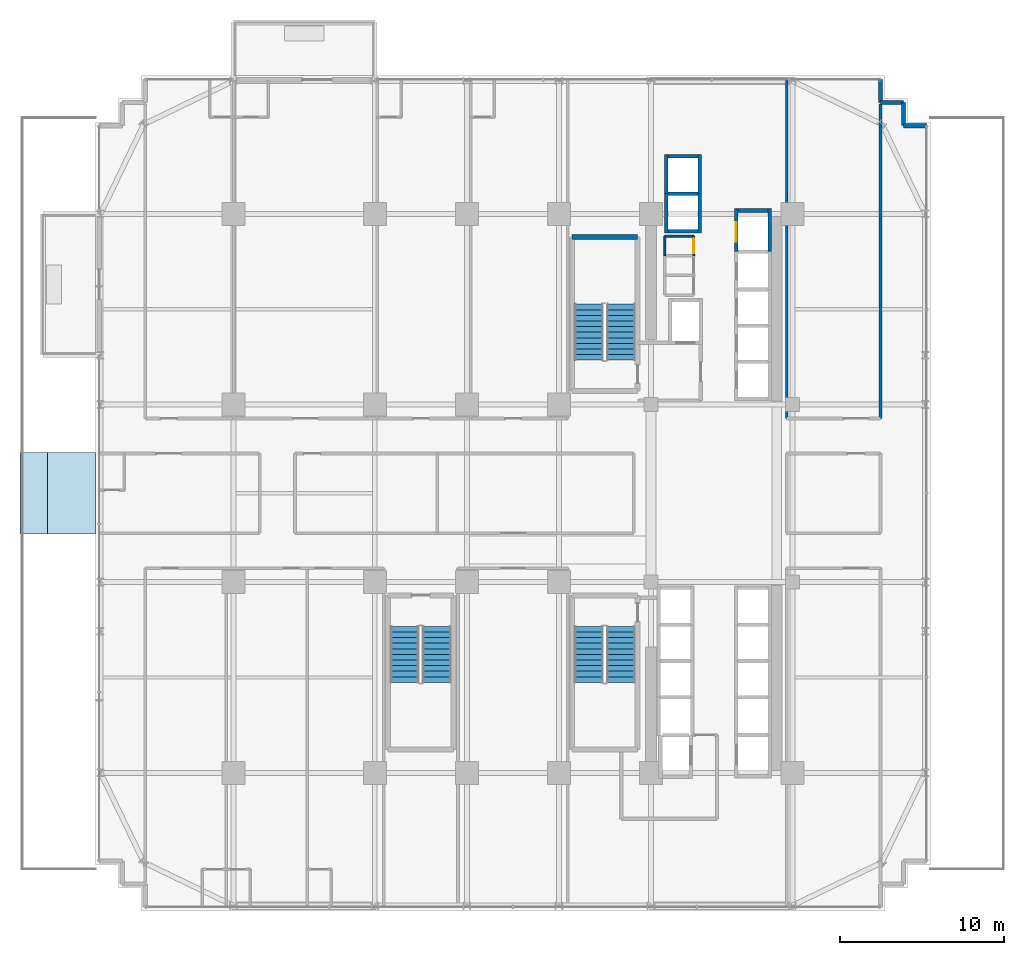
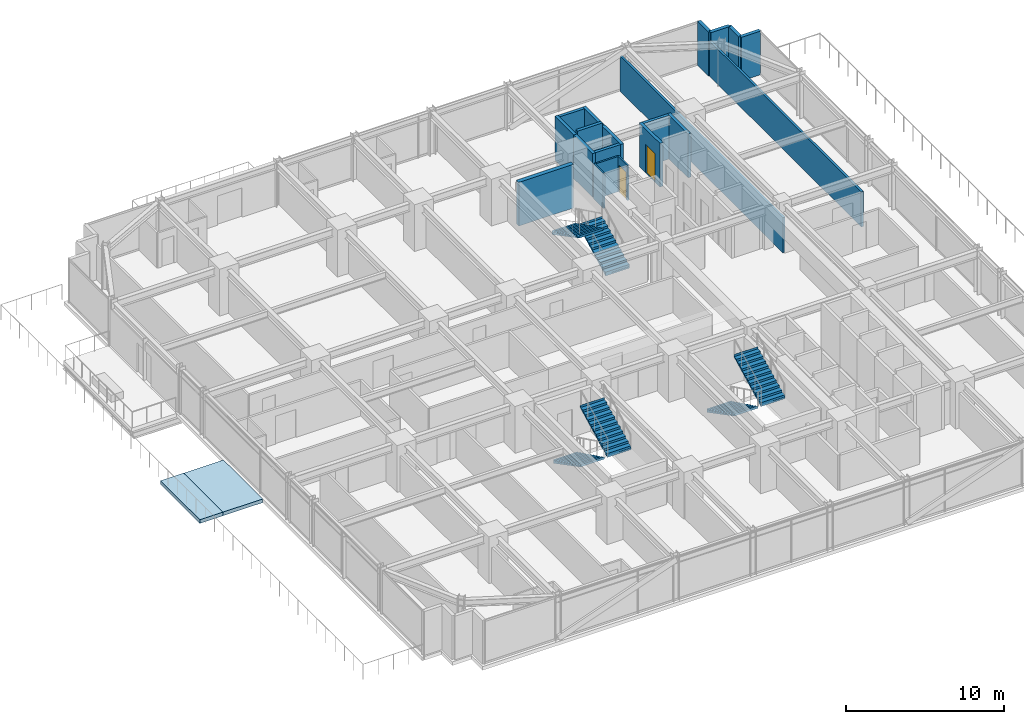
# One storey, part 33 of 39: 20 walls, 6 stair flights, 2 doors, 2 roofs, 2 openings, 3 elements without a shape of their own.
"""IFC4 building model written with IfcOpenShell, lengths in metres."""

from ifc_helpers import new_model, si_unit, direction, frame, frame_2d, origin, place, context, subcontext, project, spatial, polyline, rectangle, outline, extrude, source, transform, mapped, material, layer, layer_set, type_object, element, fill, aggregate, save


model = new_model("IFC4")

# Units and contexts
model_context = context("Model", 3, precision=1e-05, world=origin(), true_north=direction((0.0, 1.0)))
body_context = subcontext(model_context, "Body", "Model", "MODEL_VIEW")
ifc_project = project(units=[si_unit("LENGTHUNIT", "METRE"), si_unit("AREAUNIT", "SQUARE_METRE"), si_unit("VOLUMEUNIT", "CUBIC_METRE"), si_unit("PLANEANGLEUNIT", "RADIAN"), si_unit("MASSUNIT", "GRAM", prefix="KILO")], contexts=[model_context])

# Site, building, storey
site_placement = place(None, origin())
site = spatial("IfcSite", under=ifc_project, at=site_placement, CompositionType="ELEMENT")
building_placement = place(site_placement, origin())
building = spatial("IfcBuilding", under=site, at=building_placement, Name="Nahalor Promenade Grand Hotel", CompositionType="ELEMENT")
storey_placement = place(building_placement, frame((0.0, 0.0, 32.39990234375)))
storey = spatial("IfcBuildingStorey", under=building, at=storey_placement, Name="L06", CompositionType="ELEMENT", Elevation=32.39990234375)

# Walls
ifc_material_1 = material(Name="Concrete B-50 (C40/50)", Category="concrete")
ifc_layer_1 = layer(ifc_material_1, 0.300048828125)
ifc_layer_set_1 = layer_set([ifc_layer_1], Name="Concrete B-50 (C40/50)")
wall_type_1 = type_object("IfcWallType", Name="Wall-ShaftShear-300", PredefinedType="SHEAR", material=ifc_layer_set_1)
shared_shape_1 = source(origin(), body_context, "Body", "SweptSolid", [
    extrude(rectangle(XDim=3.97998046875, YDim=0.300048828125, at=frame_2d((1.989990234375, 0.0))), origin(), (0.0, 0.0, 1.0), 3.3701171875),
])
wall_1_placement = place(storey_placement, frame((3.610107421875, 15.590087890625, 0.0), z_axis=(0.0, 0.0, 1.0), x_axis=(1.0, 0.0, 0.0)))
element("IfcWall", 1, at=wall_1_placement, inside=storey, type_object=wall_type_1, Name="L06 Exit Stair ST1 Shaft Wall N", PredefinedType="SHEAR", context=body_context, shape_type="MappedRepresentation", body=[
    mapped(shared_shape_1, transform((0.0, 0.0, 0.0), scale=1.0)),
])
ifc_layer_2 = layer(ifc_material_1, 0.219970703125)
ifc_layer_set_2 = layer_set([ifc_layer_2], Name="Concrete B-50 (C40/50)")
wall_type_2 = type_object("IfcWallType", Name="Wall-LiftShaft-220", PredefinedType="SHEAR", material=ifc_layer_set_2)
shared_shape_2 = source(origin(), body_context, "Body", "SweptSolid", [
    extrude(rectangle(XDim=1.820068359375, YDim=0.219970703125, at=frame_2d((0.91015625, 0.0))), origin(), (0.0, 0.0, 1.0), 3.3701171875),
])
for number, where, z_axis, x_axis, name in (
    (2, (9.43994140625, 15.949951171875, 0.0), (0.0, 0.0, 1.0), (1.0, 0.0, 0.0), "L06 Lift OB1 Hoistway Wall S"),
    (3, (9.43994140625, 20.5, 0.0), (0.0, 0.0, 1.0), (1.0, 0.0, 0.0), "L06 Lift OB2 Hoistway Wall N"),
    (4, (13.68994140625, 17.199951171875, 0.0), (0.0, 0.0, 1.0), (1.0, 0.0, 0.0), "L06 Lift SV1 Hoistway Wall N"),
):
    element("IfcWall", number, at=place(storey_placement, frame(where, z_axis=z_axis, x_axis=x_axis)), inside=storey, type_object=wall_type_2, Name=name, PredefinedType="SHEAR", context=body_context, shape_type="MappedRepresentation", body=[
        mapped(shared_shape_2, transform((0.0, 0.0, 0.0), scale=1.0)),
    ])
shared_shape_3 = source(origin(), body_context, "Body", "SweptSolid", [
    extrude(rectangle(XDim=1.820068359375, YDim=0.219970703125, at=frame_2d((0.91015625, 0.0))), origin(), (0.0, 0.0, 1.0), 3.650146484375),
])
wall_2_placement = place(storey_placement, frame((9.43994140625, 18.22509765625, 0.0), z_axis=(0.0, 0.0, 1.0), x_axis=(1.0, 0.0, 0.0)))
element("IfcWall", 5, at=wall_2_placement, inside=storey, type_object=wall_type_2, Name="L06 Lift OB1 Hoistway Wall N", PredefinedType="SHEAR", context=body_context, shape_type="MappedRepresentation", body=[
    mapped(shared_shape_3, transform((0.0, 0.0, 0.0), scale=1.0)),
])
shared_shape_4 = source(origin(), body_context, "Body", "SweptSolid", [
    extrude(rectangle(XDim=2.385009765625, YDim=0.219970703125, at=frame_2d((1.1923828125, 0.0))), origin(), (0.0, 0.0, 1.0), 3.3701171875),
])
for number, where, z_axis, x_axis, name in (
    (6, (9.330078125, 15.840087890625, 0.0), (0.0, 0.0, 1.0), (0.0, 1.0, 0.0), "L06 Lift OB1 Hoistway Wall W"),
    (7, (11.3701171875, 15.840087890625, 0.0), (0.0, 0.0, 1.0), (0.0, 1.0, 0.0), "L06 Lift OB1 Hoistway Wall E"),
    (8, (9.330078125, 18.22509765625, 0.0), (0.0, 0.0, 1.0), (0.0, 1.0, 0.0), "L06 Lift OB2 Hoistway Wall W"),
    (9, (11.3701171875, 18.22509765625, 0.0), (0.0, 0.0, 1.0), (0.0, 1.0, 0.0), "L06 Lift OB2 Hoistway Wall E"),
):
    element("IfcWall", number, at=place(storey_placement, frame(where, z_axis=z_axis, x_axis=x_axis)), inside=storey, type_object=wall_type_2, Name=name, PredefinedType="SHEAR", context=body_context, shape_type="MappedRepresentation", body=[
        mapped(shared_shape_4, transform((0.0, 0.0, 0.0), scale=1.0)),
    ])

# Wall, opening, door
shared_shape_5 = source(origin(), body_context, "Body", "SweptSolid", [
    extrude(rectangle(XDim=2.610107421875, YDim=0.219970703125, at=frame_2d((1.30517578125, 0.0))), origin(), (0.0, 0.0, 1.0), 3.3701171875),
])
wall_3_placement = place(storey_placement, frame((13.580078125, 14.699951171875, 0.0), z_axis=(0.0, 0.0, 1.0), x_axis=(0.0, 1.0, 0.0)))
wall_3 = element("IfcWall", 10, at=wall_3_placement, inside=storey, type_object=wall_type_2, Name="L06 Lift SV1 Hoistway Wall W", PredefinedType="SHEAR", context=body_context, shape_type="MappedRepresentation", body=[
    mapped(shared_shape_5, transform((0.0, 0.0, 0.0), scale=1.0)),
])
opening_1_placement = place(wall_3_placement, frame((0.60009765625, 0.0, 0.0)))
opening_1 = element("IfcOpeningElement", 11, at=opening_1_placement, cuts=wall_3, Name="Opening LD-03", PredefinedType="OPENING", context=body_context, shape_type="SweptSolid", body=[
    extrude(rectangle(XDim=1.199951171875, YDim=2.199951171875, at=frame_2d((0.60009765625, 1.10009765625))), frame((0.0, 0.119873046875, 0.0), z_axis=(0.0, -1.0, 0.0), x_axis=(1.0, 0.0, 0.0)), (0.0, 0.0, 1.0), 0.239990234375),
])
ifc_material_2 = material(Name="Steel S355JR", Category="steel")
door_type_1 = type_object("IfcDoorType", Name="Door-LiftService-1200", OperationType="DOUBLE_DOOR_SLIDING", PredefinedType="DOOR", material=ifc_material_2)
shared_shape_6 = source(origin(), body_context, "Body", "SweptSolid", [
    extrude(rectangle(XDim=1.199951171875, YDim=2.199951171875, at=frame_2d((0.60009765625, 1.10009765625))), frame((0.0, 0.02490234375, 0.0), z_axis=(0.0, -1.0, 0.0), x_axis=(1.0, 0.0, 0.0)), (0.0, 0.0, 1.0), 0.050048828125),
])
door_1_placement = place(opening_1_placement, origin())
door_1 = element("IfcDoor", 12, at=door_1_placement, inside=storey, type_object=door_type_1, Name="DR-LIFT-SV1-L06", OperationType="DOUBLE_DOOR_SLIDING", OverallHeight=2.199951171875, OverallWidth=1.199951171875, PredefinedType="DOOR", context=body_context, shape_type="MappedRepresentation", body=[
    mapped(shared_shape_6, transform((0.0, 0.0, 0.0), scale=1.0)),
])
fill(opening_1, door_1)

# Walls
wall_4_placement = place(storey_placement, frame((15.6201171875, 14.699951171875, 0.0), z_axis=(0.0, 0.0, 1.0), x_axis=(0.0, 1.0, 0.0)))
element("IfcWall", 13, at=wall_4_placement, inside=storey, type_object=wall_type_2, Name="L06 Lift SV1 Hoistway Wall E", PredefinedType="SHEAR", context=body_context, shape_type="MappedRepresentation", body=[
    mapped(shared_shape_5, transform((0.0, 0.0, 0.0), scale=1.0)),
])
ifc_material_3 = material(Name="Concrete B-40 (C32/40)", Category="concrete")
ifc_layer_3 = layer(ifc_material_3, 0.25)
ifc_layer_set_3 = layer_set([ifc_layer_3], Name="Concrete B-40 (C32/40)")
wall_type_3 = type_object("IfcWallType", Name="Wall-BronzePier-250", PredefinedType="STANDARD", material=ifc_layer_set_3)
shared_shape_7 = source(origin(), body_context, "Body", "SweptSolid", [
    extrude(rectangle(XDim=1.39990234375, YDim=0.25, at=frame_2d((0.699951171875, 0.0))), origin(), (0.0, 0.0, 1.0), 3.3701171875),
])
for number, where, z_axis, x_axis, name in (
    (14, (23.760009765625, 22.360107421875, 0.0), (0.0, 0.0, 1.0), (1.0, 0.0, 0.0), "W-L06-SR-05"),
    (15, (23.760009765625, 22.360107421875, 0.0), (0.0, 0.0, 1.0), (0.0, 1.0, 0.0), "W-L06-SR-06"),
    (16, (22.360107421875, 23.760009765625, 0.0), (0.0, 0.0, 1.0), (1.0, 0.0, 0.0), "W-L06-SR-07"),
    (17, (22.360107421875, 23.760009765625, 0.0), (0.0, 0.0, 1.0), (0.0, 1.0, 0.0), "W-L06-SR-08"),
):
    element("IfcWall", number, at=place(storey_placement, frame(where, z_axis=z_axis, x_axis=x_axis)), inside=storey, type_object=wall_type_3, Name=name, PredefinedType="STANDARD", context=body_context, shape_type="MappedRepresentation", body=[
        mapped(shared_shape_7, transform((0.0, 0.0, 0.0), scale=1.0)),
    ])
ifc_material_4 = material(Name="Acoustic Mineral Gypsum", Category="gypsum")
ifc_layer_4 = layer(ifc_material_4, 0.1201171875)
ifc_layer_set_4 = layer_set([ifc_layer_4], Name="Acoustic Mineral Gypsum")
wall_type_4 = type_object("IfcWallType", Name="Wall-PartBath-120", PredefinedType="PARTITIONING", material=ifc_layer_set_4)
shared_shape_8 = source(origin(), body_context, "Body", "SweptSolid", [
    extrude(rectangle(XDim=1.75, YDim=0.1201171875, at=frame_2d((0.875, 0.0))), origin(), (0.0, 0.0, 1.0), 2.710205078125),
])
wall_5_placement = place(storey_placement, frame((9.25, 15.64990234375, 0.0), z_axis=(0.0, 0.0, 1.0), x_axis=(1.0, 0.0, 0.0)))
element("IfcWall", 18, at=wall_5_placement, inside=storey, type_object=wall_type_4, Name="W-L06-CK3C-N", PredefinedType="PARTITIONING", context=body_context, shape_type="MappedRepresentation", body=[
    mapped(shared_shape_8, transform((0.0, 0.0, 0.0), scale=1.0)),
])
shared_shape_9 = source(origin(), body_context, "Body", "SweptSolid", [
    extrude(rectangle(XDim=1.199951171875, YDim=0.1201171875, at=frame_2d((0.60009765625, 0.0))), origin(), (0.0, 0.0, 1.0), 2.710205078125),
])
wall_6_placement = place(storey_placement, frame((9.25, 14.449951171875, 0.0), z_axis=(0.0, 0.0, 1.0), x_axis=(0.0, 1.0, 0.0)))
element("IfcWall", 19, at=wall_6_placement, inside=storey, type_object=wall_type_4, Name="W-L06-CK3C-W", PredefinedType="PARTITIONING", context=body_context, shape_type="MappedRepresentation", body=[
    mapped(shared_shape_9, transform((0.0, 0.0, 0.0), scale=1.0)),
])

# Wall, opening, door
wall_7_placement = place(storey_placement, frame((11.0, 14.449951171875, 0.0), z_axis=(0.0, 0.0, 1.0), x_axis=(0.0, 1.0, 0.0)))
wall_7 = element("IfcWall", 20, at=wall_7_placement, inside=storey, type_object=wall_type_4, Name="W-L06-CK3C-E", PredefinedType="PARTITIONING", context=body_context, shape_type="MappedRepresentation", body=[
    mapped(shared_shape_9, transform((0.0, 0.0, 0.0), scale=1.0)),
])
opening_2_placement = place(wall_7_placement, frame((0.159912109375, 0.0, 0.0)))
opening_2 = element("IfcOpeningElement", 21, at=opening_2_placement, cuts=wall_7, Name="Opening D-03", PredefinedType="OPENING", context=body_context, shape_type="SweptSolid", body=[
    extrude(rectangle(XDim=0.8798828125, YDim=2.10009765625, at=frame_2d((0.43994140625, 1.050048828125))), frame((0.0, 0.070068359375, 0.0), z_axis=(0.0, -1.0, 0.0), x_axis=(1.0, 0.0, 0.0)), (0.0, 0.0, 1.0), 0.14013671875),
])
ifc_material_5 = material(Name="Fire-Rated Timber Composite", Category="wood")
door_type_2 = type_object("IfcDoorType", Name="Door-BathSwing-880", OperationType="NOTDEFINED", PredefinedType="DOOR", material=ifc_material_5)
shared_shape_10 = source(origin(), body_context, "Body", "SweptSolid", [
    extrude(rectangle(XDim=0.8798828125, YDim=2.10009765625, at=frame_2d((0.43994140625, 1.050048828125))), frame((0.0, 0.02490234375, 0.0), z_axis=(0.0, -1.0, 0.0), x_axis=(1.0, 0.0, 0.0)), (0.0, 0.0, 1.0), 0.050048828125),
])
door_2_placement = place(opening_2_placement, origin())
door_2 = element("IfcDoor", 22, at=door_2_placement, inside=storey, type_object=door_type_2, Name="DR-L06-CK3C", OperationType="SINGLE_SWING_LEFT", OverallHeight=2.10009765625, OverallWidth=0.8798828125, PredefinedType="DOOR", context=body_context, shape_type="MappedRepresentation", body=[
    mapped(shared_shape_10, transform((0.0, 0.0, 0.0), scale=1.0)),
])
fill(opening_2, door_2)

# Walls
ifc_layer_5 = layer(ifc_material_4, 0.159912109375)
ifc_layer_set_5 = layer_set([ifc_layer_5], Name="Acoustic Mineral Gypsum")
wall_type_5 = type_object("IfcWallType", Name="Wall-PartCorridor-160", PredefinedType="PARTITIONING", material=ifc_layer_set_5)
shared_shape_11 = source(origin(), body_context, "Body", "SweptSolid", [
    extrude(rectangle(XDim=20.550048828125, YDim=0.159912109375, at=frame_2d((10.27490234375, 0.0))), origin(), (0.0, 0.0, 1.0), 2.710205078125),
])
wall_8_placement = place(storey_placement, frame((16.64990234375, 4.550048828125, 0.0), z_axis=(0.0, 0.0, 1.0), x_axis=(0.0, 1.0, 0.0)))
element("IfcWall", 23, at=wall_8_placement, inside=storey, type_object=wall_type_5, Name="W-L06-ENE-W", PredefinedType="PARTITIONING", context=body_context, shape_type="MappedRepresentation", body=[
    mapped(shared_shape_11, transform((0.0, 0.0, 0.0), scale=1.0)),
])
shared_shape_12 = source(origin(), body_context, "Body", "SweptSolid", [
    extrude(rectangle(XDim=19.1298828125, YDim=0.159912109375, at=frame_2d((9.56494140625, 0.0))), origin(), (0.0, 0.0, 1.0), 2.710205078125),
])
wall_9_placement = place(storey_placement, frame((22.360107421875, 4.550048828125, 0.0), z_axis=(0.0, 0.0, 1.0), x_axis=(0.0, 1.0, 0.0)))
element("IfcWall", 24, at=wall_9_placement, inside=storey, type_object=wall_type_5, Name="W-L06-ENE-E", PredefinedType="PARTITIONING", context=body_context, shape_type="MappedRepresentation", body=[
    mapped(shared_shape_12, transform((0.0, 0.0, 0.0), scale=1.0)),
])

# Stair, stair flights
stair_type_1 = type_object("IfcStairType", Name="Stair-ST1", PredefinedType="HALF_TURN_STAIR", material=ifc_material_1)
stair_1_placement = place(storey_placement, origin())
stair_1 = element("IfcStair", 25, at=stair_1_placement, inside=storey, type_object=stair_type_1, Name="L06 ST1", PredefinedType="HALF_TURN_STAIR")
ifc_layer_6 = layer(ifc_material_1, 0.179931640625)
ifc_layer_set_6 = layer_set([ifc_layer_6], Name="Concrete B-50 (C40/50)")
stair_flight_type_1 = type_object("IfcStairFlightType", Name="Flight-ST1", PredefinedType="STRAIGHT", material=ifc_layer_set_6)
shared_shape_13 = source(origin(), body_context, "Body", "SweptSolid", [
    extrude(outline(polyline([(-0.00390625, -0.1201171875), (-0.00390625, 0.0), (0.0, 0.0), (0.0, 0.166015625), (0.340087890625, 0.166015625), (0.340087890625, 0.331787109375), (0.679931640625, 0.331787109375), (0.679931640625, 0.497802734375), (1.02001953125, 0.497802734375), (1.02001953125, 0.66357421875), (1.360107421875, 0.66357421875), (1.360107421875, 0.82958984375), (1.699951171875, 0.82958984375), (1.699951171875, 0.995361328125), (2.0400390625, 0.995361328125), (2.0400390625, 1.161376953125), (2.3798828125, 1.161376953125), (2.3798828125, 1.327392578125), (2.719970703125, 1.327392578125), (2.719970703125, 1.4931640625), (3.06005859375, 1.4931640625), (3.06005859375, 1.6591796875), (3.39990234375, 1.6591796875), (3.39990234375, 1.824951171875), (3.404052734375, 1.824951171875), (3.404052734375, 1.64501953125), (0.02001953125, -0.1201171875), (-0.00390625, -0.1201171875)])), frame((0.0, 0.875, 0.0), z_axis=(0.0, -1.0, 0.0), x_axis=(1.0, 0.0, 0.0)), (0.0, 0.0, 1.0), 1.75),
])
stair_flight_1_placement = place(storey_placement, frame((6.574951171875, 8.10009765625, 0.0), z_axis=(0.0, 0.0, 1.0), x_axis=(0.0, 1.0, 0.0)))
stair_flight_1 = element("IfcStairFlight", 26, at=stair_flight_1_placement, type_object=stair_flight_type_1, Name="ST1 flight 1", NumberOfRisers=11, NumberOfTreads=10, PredefinedType="STRAIGHT", RiserHeight=0.165909091, TreadLength=0.34, context=body_context, shape_type="MappedRepresentation", body=[
    mapped(shared_shape_13, transform((0.0, 0.0, 0.0), scale=1.0)),
])
stair_flight_2_placement = place(storey_placement, frame((4.625, 11.5, 1.8251953125), z_axis=(0.0, 0.0, 1.0), x_axis=(0.0, -1.0, 0.0)))
stair_flight_2 = element("IfcStairFlight", 27, at=stair_flight_2_placement, type_object=stair_flight_type_1, Name="ST1 flight 2", NumberOfRisers=11, NumberOfTreads=10, PredefinedType="STRAIGHT", RiserHeight=0.165909091, TreadLength=0.34, context=body_context, shape_type="MappedRepresentation", body=[
    mapped(shared_shape_13, transform((0.0, 0.0, 0.0), scale=1.0)),
])
aggregate(stair_1, [stair_flight_1, stair_flight_2])

stair_type_2 = type_object("IfcStairType", Name="Stair-ST2", PredefinedType="HALF_TURN_STAIR", material=ifc_material_1)
stair_2_placement = place(storey_placement, origin())
stair_2 = element("IfcStair", 28, at=stair_2_placement, inside=storey, type_object=stair_type_2, Name="L06 ST2", PredefinedType="HALF_TURN_STAIR")
ifc_layer_7 = layer(ifc_material_1, 0.18994140625)
ifc_layer_set_7 = layer_set([ifc_layer_7], Name="Concrete B-50 (C40/50)")
stair_flight_type_2 = type_object("IfcStairFlightType", Name="Flight-ST2", PredefinedType="STRAIGHT", material=ifc_layer_set_7)
shared_shape_14 = source(origin(), body_context, "Body", "SweptSolid", [
    extrude(outline(polyline([(-0.00390625, -0.1201171875), (-0.00390625, 0.0), (0.0, 0.0), (0.0, 0.166015625), (0.340087890625, 0.166015625), (0.340087890625, 0.331787109375), (0.679931640625, 0.331787109375), (0.679931640625, 0.497802734375), (1.02001953125, 0.497802734375), (1.02001953125, 0.66357421875), (1.360107421875, 0.66357421875), (1.360107421875, 0.82958984375), (1.699951171875, 0.82958984375), (1.699951171875, 0.995361328125), (2.0400390625, 0.995361328125), (2.0400390625, 1.161376953125), (2.3798828125, 1.161376953125), (2.3798828125, 1.327392578125), (2.719970703125, 1.327392578125), (2.719970703125, 1.4931640625), (3.06005859375, 1.4931640625), (3.06005859375, 1.6591796875), (3.39990234375, 1.6591796875), (3.39990234375, 1.824951171875), (3.404052734375, 1.824951171875), (3.404052734375, 1.64501953125), (0.02001953125, -0.1201171875), (-0.00390625, -0.1201171875)])), frame((0.0, 0.875, 0.0), z_axis=(0.0, -1.0, 0.0), x_axis=(1.0, 0.0, 0.0)), (0.0, 0.0, 1.0), 1.75),
])
stair_flight_3_placement = place(storey_placement, frame((4.625, -8.10009765625, 0.0), z_axis=(0.0, 0.0, 1.0), x_axis=(0.0, -1.0, 0.0)))
stair_flight_3 = element("IfcStairFlight", 29, at=stair_flight_3_placement, type_object=stair_flight_type_2, Name="ST2 flight 1", NumberOfRisers=11, NumberOfTreads=10, PredefinedType="STRAIGHT", RiserHeight=0.165909091, TreadLength=0.34, context=body_context, shape_type="MappedRepresentation", body=[
    mapped(shared_shape_14, transform((0.0, 0.0, 0.0), scale=1.0)),
])
stair_flight_4_placement = place(storey_placement, frame((6.574951171875, -11.5, 1.8251953125), z_axis=(0.0, 0.0, 1.0), x_axis=(0.0, 1.0, 0.0)))
stair_flight_4 = element("IfcStairFlight", 30, at=stair_flight_4_placement, type_object=stair_flight_type_2, Name="ST2 flight 2", NumberOfRisers=11, NumberOfTreads=10, PredefinedType="STRAIGHT", RiserHeight=0.165909091, TreadLength=0.34, context=body_context, shape_type="MappedRepresentation", body=[
    mapped(shared_shape_14, transform((0.0, 0.0, 0.0), scale=1.0)),
])
aggregate(stair_2, [stair_flight_3, stair_flight_4])

stair_type_3 = type_object("IfcStairType", Name="Stair-ST3", PredefinedType="HALF_TURN_STAIR", material=ifc_material_1)
stair_3_placement = place(storey_placement, origin())
stair_3 = element("IfcStair", 31, at=stair_3_placement, inside=storey, type_object=stair_type_3, Name="L06 ST3", PredefinedType="HALF_TURN_STAIR")
ifc_layer_8 = layer(ifc_material_1, 0.199951171875)
ifc_layer_set_8 = layer_set([ifc_layer_8], Name="Concrete B-50 (C40/50)")
stair_flight_type_3 = type_object("IfcStairFlightType", Name="Flight-ST3", PredefinedType="STRAIGHT", material=ifc_layer_set_8)
shared_shape_15 = source(origin(), body_context, "Body", "SweptSolid", [
    extrude(outline(polyline([(-0.00390625, -0.1201171875), (-0.00390625, 0.0), (0.0, 0.0), (0.0, 0.166015625), (0.340087890625, 0.166015625), (0.340087890625, 0.331787109375), (0.679931640625, 0.331787109375), (0.679931640625, 0.497802734375), (1.02001953125, 0.497802734375), (1.02001953125, 0.66357421875), (1.360107421875, 0.66357421875), (1.360107421875, 0.82958984375), (1.699951171875, 0.82958984375), (1.699951171875, 0.995361328125), (2.0400390625, 0.995361328125), (2.0400390625, 1.161376953125), (2.3798828125, 1.161376953125), (2.3798828125, 1.327392578125), (2.719970703125, 1.327392578125), (2.719970703125, 1.4931640625), (3.06005859375, 1.4931640625), (3.06005859375, 1.6591796875), (3.39990234375, 1.6591796875), (3.39990234375, 1.824951171875), (3.404052734375, 1.824951171875), (3.404052734375, 1.64501953125), (0.02001953125, -0.1201171875), (-0.00390625, -0.1201171875)])), frame((0.0, 0.875, 0.0), z_axis=(0.0, -1.0, 0.0), x_axis=(1.0, 0.0, 0.0)), (0.0, 0.0, 1.0), 1.75),
])
stair_flight_5_placement = place(storey_placement, frame((-6.574951171875, -8.10009765625, 0.0), z_axis=(0.0, 0.0, 1.0), x_axis=(0.0, -1.0, 0.0)))
stair_flight_5 = element("IfcStairFlight", 32, at=stair_flight_5_placement, type_object=stair_flight_type_3, Name="ST3 flight 1", NumberOfRisers=11, NumberOfTreads=10, PredefinedType="STRAIGHT", RiserHeight=0.165909091, TreadLength=0.34, context=body_context, shape_type="MappedRepresentation", body=[
    mapped(shared_shape_15, transform((0.0, 0.0, 0.0), scale=1.0)),
])
stair_flight_6_placement = place(storey_placement, frame((-4.625, -11.5, 1.8251953125), z_axis=(0.0, 0.0, 1.0), x_axis=(0.0, 1.0, 0.0)))
stair_flight_6 = element("IfcStairFlight", 33, at=stair_flight_6_placement, type_object=stair_flight_type_3, Name="ST3 flight 2", NumberOfRisers=11, NumberOfTreads=10, PredefinedType="STRAIGHT", RiserHeight=0.165909091, TreadLength=0.34, context=body_context, shape_type="MappedRepresentation", body=[
    mapped(shared_shape_15, transform((0.0, 0.0, 0.0), scale=1.0)),
])
aggregate(stair_3, [stair_flight_5, stair_flight_6])

# Roofs
ifc_layer_9 = layer(ifc_material_1, 0.280029296875)
ifc_layer_set_9 = layer_set([ifc_layer_9], Name="Concrete B-50 (C40/50)")
roof_type = type_object("IfcRoofType", Name="Roof-PodiumLounge-280", PredefinedType="FLAT_ROOF", material=ifc_layer_set_9)
roof_1_placement = place(storey_placement, frame((0.0, 0.0, -0.27978515625)))
element("IfcRoof", 34, at=roof_1_placement, inside=storey, type_object=roof_type, Name="L05 Lounge Podium Roof (bay 1)", PredefinedType="FLAT_ROOF", context=body_context, shape_type="SweptSolid", body=[
    extrude(outline(polyline([(-28.300048828125, -2.47998046875), (-25.39990234375, -2.47998046875), (-25.39990234375, 2.47998046875), (-28.300048828125, 2.47998046875), (-28.300048828125, -2.47998046875)])), origin(), (0.0, 0.0, 1.0), 0.27978515625),
])
roof_2_placement = place(storey_placement, frame((0.0, 0.0, -0.27978515625)))
element("IfcRoof", 35, at=roof_2_placement, inside=storey, type_object=roof_type, Name="L05 Lounge Podium Roof (bay 2)", PredefinedType="FLAT_ROOF", context=body_context, shape_type="SweptSolid", body=[
    extrude(outline(polyline([(-29.97998046875, -2.47998046875), (-28.300048828125, -2.47998046875), (-28.300048828125, 2.47998046875), (-29.97998046875, 2.47998046875), (-29.97998046875, -2.47998046875)])), origin(), (0.0, 0.0, 1.0), 0.27978515625),
])

save(model, "model.ifc")
